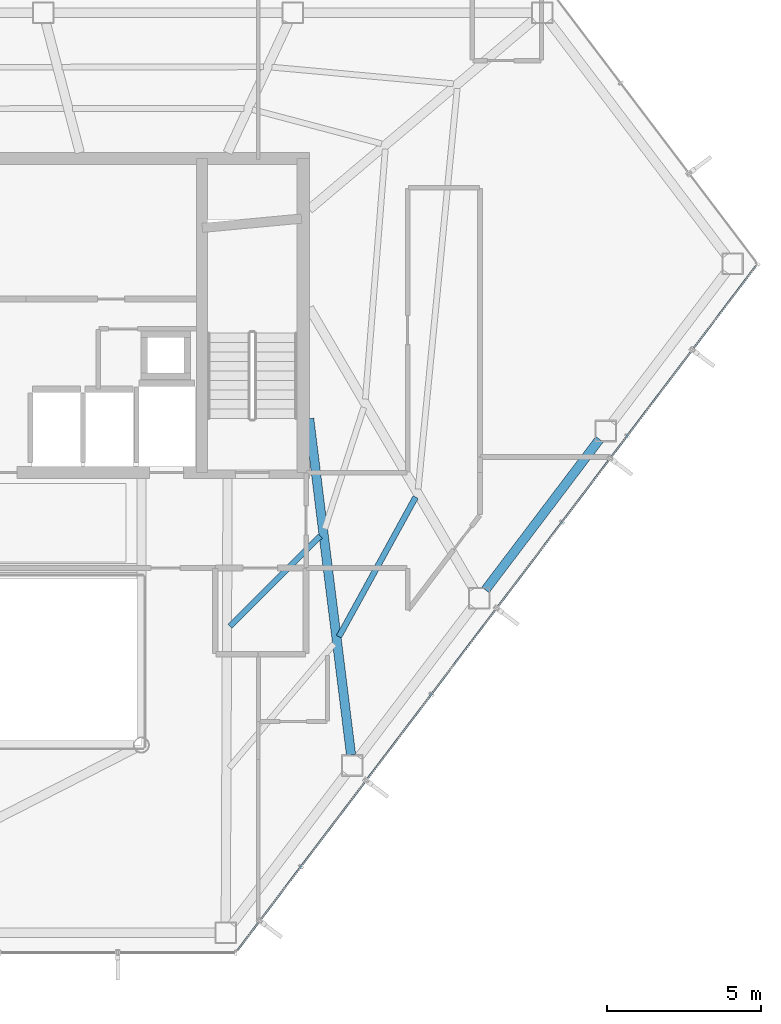
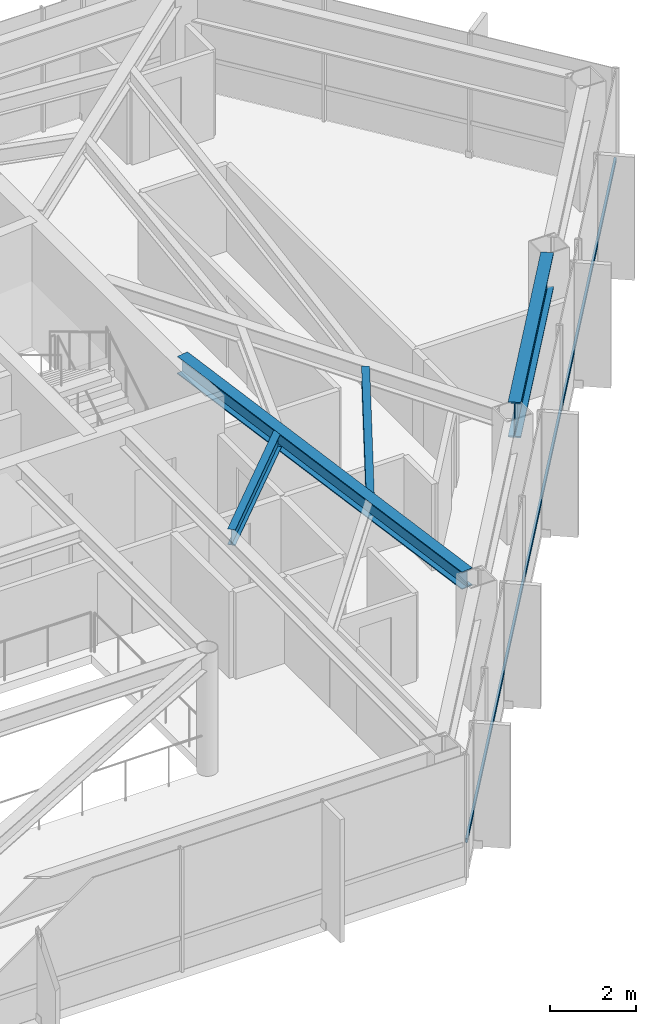
# One storey, part 18 of 28: 4 beams, 1 member, 1 element without a shape of its own.
"""IFC4 building model written with IfcOpenShell, lengths in metres."""

from ifc_helpers import new_model, si_unit, direction, frame, origin, origin_2d, place, context, subcontext, project, spatial, hollow_rectangle, i_section, extrude, material, layer, layer_set, material_profile, profile_set, type_object, element, aggregate, save


model = new_model("IFC4")

# Units and contexts
model_context = context("Model", 3, precision=1e-05, world=origin(), true_north=direction((0.0, 1.0)))
body_context = subcontext(model_context, "Body", "Model", "MODEL_VIEW")
ifc_project = project(units=[si_unit("LENGTHUNIT", "METRE"), si_unit("AREAUNIT", "SQUARE_METRE"), si_unit("VOLUMEUNIT", "CUBIC_METRE"), si_unit("PLANEANGLEUNIT", "RADIAN"), si_unit("MASSUNIT", "GRAM", prefix="KILO")], contexts=[model_context])

# Site, building, storey
site_placement = place(None, origin())
site = spatial("IfcSite", under=ifc_project, at=site_placement, CompositionType="ELEMENT")
building_placement = place(site_placement, origin())
building = spatial("IfcBuilding", under=site, at=building_placement, Name="Zarrinselat Tower", CompositionType="ELEMENT")
storey_placement = place(building_placement, frame((0.0, 0.0, 164.56005859375)))
storey = spatial("IfcBuildingStorey", under=building, at=storey_placement, Name="L40", CompositionType="ELEMENT", Elevation=164.56005859375)

# Beams
ifc_material_1 = material(Name="Steel S355J2", Category="steel")
ifc_material_profile_1 = material_profile(ifc_material_1, i_section(OverallWidth=0.300048828125, OverallDepth=0.5, WebThickness=0.014404296875, FlangeThickness=0.028076171875, at=origin_2d()), Name="HEB 500")
ifc_profile_set_1 = profile_set([ifc_material_profile_1], Name="Steel S355J2")
beam_type_1 = type_object("IfcBeamType", Name="BM-HEB500", PredefinedType="BEAM", material=ifc_profile_set_1)
beam_1_placement = place(storey_placement, frame((48.449951171875, 35.0, 3.25), z_axis=(0.123764281602, -0.992311645905, 0.0), x_axis=(0.992311645905, 0.123764281602, 0.0)))
element("IfcBeam", 1, at=beam_1_placement, inside=storey, type_object=beam_type_1, Name="L40 Radial Primary Girder RG12", PredefinedType="BEAM", context=body_context, shape_type="SweptSolid", body=[
    extrude(i_section(OverallWidth=0.300048828125, OverallDepth=0.5, WebThickness=0.014404296875, FlangeThickness=0.028076171875, at=origin_2d()), origin(), (0.0, 0.0, 1.0), 10.999267578125),
])
ifc_material_2 = material(Name="Steel S460M", Category="steel")
ifc_material_profile_2 = material_profile(ifc_material_2, i_section(OverallWidth=0.302001953125, OverallDepth=1.008056640625, WebThickness=0.02099609375, FlangeThickness=0.0400390625, at=origin_2d()), Name="HEM 1000")
ifc_profile_set_2 = profile_set([ifc_material_profile_2], Name="Steel S460M")
beam_type_2 = type_object("IfcBeamType", Name="BM-HEM1000", PredefinedType="BEAM", material=ifc_profile_set_2)
beam_2_placement = place(storey_placement, frame((54.1748046875, 29.43798828125, 2.995849609375), z_axis=(0.603842375532, 0.797103748274, 0.0), x_axis=(-0.797103748274, 0.603842375532, 0.0)))
element("IfcBeam", 2, at=beam_2_placement, inside=storey, type_object=beam_type_2, Name="L40 Perimeter Spandrel Girder SP13", PredefinedType="BEAM", context=body_context, shape_type="SweptSolid", body=[
    extrude(i_section(OverallWidth=0.302001953125, OverallDepth=1.008056640625, WebThickness=0.02099609375, FlangeThickness=0.0400390625, at=origin_2d()), origin(), (0.0, 0.0, 1.0), 6.139404296875),
])
ifc_material_3 = material(Name="Steel S355J2", Category="steel")
ifc_material_profile_3 = material_profile(ifc_material_3, i_section(OverallWidth=0.18994140625, OverallDepth=0.449951171875, WebThickness=0.009521484375, FlangeThickness=0.0146484375, at=origin_2d()), Name="IPE 450")
ifc_profile_set_3 = profile_set([ifc_material_profile_3], Name="Steel S355J2")
beam_type_3 = type_object("IfcBeamType", Name="BM-IPE450", PredefinedType="JOIST", material=ifc_profile_set_3)
beam_3_placement = place(storey_placement, frame((45.87890625, 28.26123046875, 3.27490234375), z_axis=(0.707813004659, 0.706399851667, 0.0), x_axis=(-0.706399851667, 0.707813004659, 0.0)))
element("IfcBeam", 3, at=beam_3_placement, inside=storey, type_object=beam_type_3, Name="L40 Composite Floor Joist 3-2", PredefinedType="JOIST", context=body_context, shape_type="SweptSolid", body=[
    extrude(i_section(OverallWidth=0.18994140625, OverallDepth=0.449951171875, WebThickness=0.009521484375, FlangeThickness=0.0146484375, at=origin_2d()), origin(), (0.0, 0.0, 1.0), 4.146240234375),
])
beam_4_placement = place(storey_placement, frame((49.416015625, 27.9189453125, 3.27490234375), z_axis=(0.48177202173, 0.8762965931, 0.0), x_axis=(-0.8762965931, 0.48177202173, 0.0)))
element("IfcBeam", 4, at=beam_4_placement, inside=storey, type_object=beam_type_3, Name="L40 Composite Floor Joist 4-1", PredefinedType="JOIST", context=body_context, shape_type="SweptSolid", body=[
    extrude(i_section(OverallWidth=0.18994140625, OverallDepth=0.449951171875, WebThickness=0.009521484375, FlangeThickness=0.0146484375, at=origin_2d()), origin(), (0.0, 0.0, 1.0), 5.174072265625),
])

# Curtain wall, member
ifc_material_4 = material(Name="Extruded Aluminium Alloy EN AW-6063 T6", Category="aluminium")
ifc_layer = layer(ifc_material_4, 0.175048828125)
ifc_layer_set = layer_set([ifc_layer], Name="Extruded Aluminium Alloy EN AW-6063 T6")
curtain_wall_type = type_object("IfcCurtainWallType", Name="CWS-HTL", PredefinedType="NOTDEFINED", material=ifc_layer_set)
curtain_wall_placement = place(storey_placement, origin())
curtain_wall = element("IfcCurtainWall", 5, at=curtain_wall_placement, inside=storey, type_object=curtain_wall_type, Name="L40 Unitised Curtain Wall CW-L40-E05", PredefinedType="NOTDEFINED")
ifc_material_5 = material(Name="Extruded Aluminium Alloy EN AW-6063 T6", Category="aluminium")
ifc_material_profile_4 = material_profile(ifc_material_5, hollow_rectangle(XDim=0.06005859375, YDim=0.1201171875, WallThickness=0.00390625, at=origin_2d()), Name="RHS 120x60x4")
ifc_profile_set_4 = profile_set([ifc_material_profile_4], Name="Extruded Aluminium Alloy EN AW-6063 T6")
member_type = type_object("IfcMemberType", Name="MEM-CW-TRN2", PredefinedType="USERDEFINED", material=ifc_profile_set_4)
member_placement = place(storey_placement, frame((46.11669921875, 17.72509765625, 0.949951171875), z_axis=(0.603860383856, 0.797090105828, 0.0), x_axis=(-0.797090105828, 0.603860383856, 0.0)))
member = element("IfcMember", 6, at=member_placement, type_object=member_type, Name="CW-L40-E05 Transom 1", ObjectType="TRANSOM", PredefinedType="USERDEFINED", context=body_context, shape_type="SweptSolid", body=[
    extrude(hollow_rectangle(XDim=0.06005859375, YDim=0.1201171875, WallThickness=0.00390625, at=origin_2d()), origin(), (0.0, 0.0, 1.0), 27.8974609375),
])
aggregate(curtain_wall, [member])

save(model, "model.ifc")
